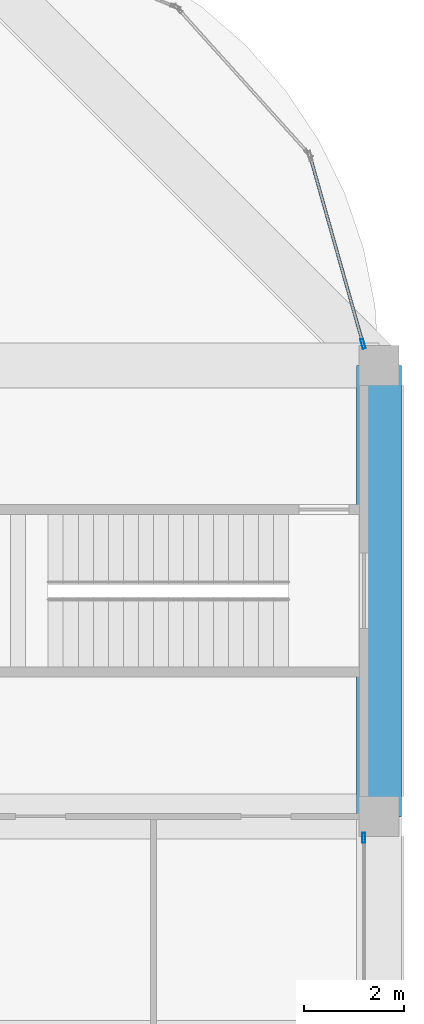
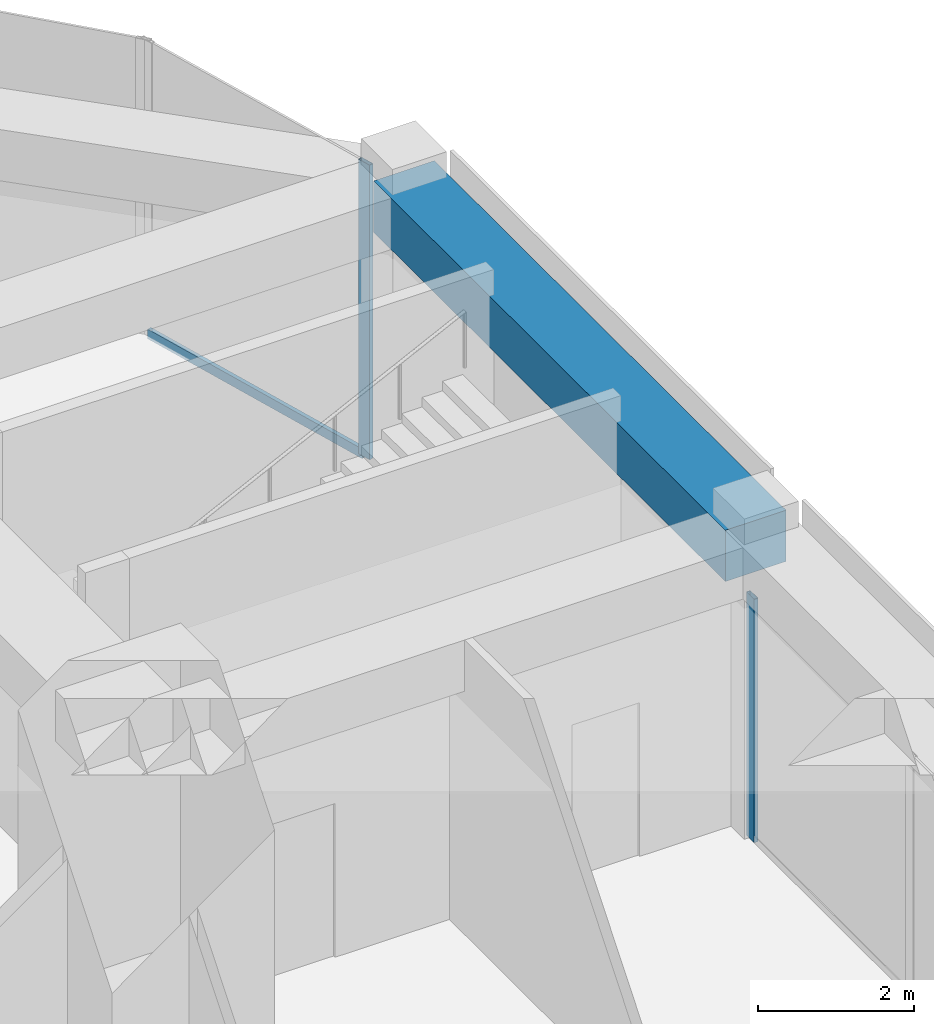
# One storey, part 37 of 46: 3 members, 1 beam, 2 elements without a shape of their own.
"""IFC4 building model written with IfcOpenShell, lengths in metres."""

from ifc_helpers import new_model, si_unit, direction, frame, origin, origin_2d, place, context, subcontext, project, spatial, rectangle, hollow_rectangle, extrude, material, material_profile, profile_set, type_object, element, aggregate, save


model = new_model("IFC4")

# Units and contexts
model_context = context("Model", 3, precision=1e-05, world=origin(), true_north=direction((0.0, 1.0)))
body_context = subcontext(model_context, "Body", "Model", "MODEL_VIEW")
ifc_project = project(units=[si_unit("LENGTHUNIT", "METRE"), si_unit("AREAUNIT", "SQUARE_METRE"), si_unit("VOLUMEUNIT", "CUBIC_METRE"), si_unit("PLANEANGLEUNIT", "RADIAN"), si_unit("MASSUNIT", "GRAM", prefix="KILO")], contexts=[model_context])

# Site, building, storey
site_placement = place(None, origin())
site = spatial("IfcSite", under=ifc_project, at=site_placement, CompositionType="ELEMENT")
building_placement = place(site_placement, origin())
building = spatial("IfcBuilding", under=site, at=building_placement, Name="Zorevar Civic Tower", CompositionType="ELEMENT")
storey_placement = place(building_placement, frame((0.0, 0.0, 10.800048828125)))
storey = spatial("IfcBuildingStorey", under=building, at=storey_placement, Name="L02", CompositionType="ELEMENT", Elevation=10.800048828125)

# Curtain wall, member
ifc_material_1 = material(Name="Dark grey solar-control glass in black aluminium frame", Category="aluminium")
curtain_wall_type = type_object("IfcCurtainWallType", Name="Curtain wall CW1 podium", PredefinedType="NOTDEFINED", material=ifc_material_1)
curtain_wall_1_placement = place(storey_placement, origin())
curtain_wall_1 = element("IfcCurtainWall", 1, at=curtain_wall_1_placement, inside=storey, type_object=curtain_wall_type, Name="CW1 L02", PredefinedType="NOTDEFINED")
ifc_material_2 = material(Name="Aluminium, black anodised", Category="aluminium")
ifc_material_profile_1 = material_profile(ifc_material_2, hollow_rectangle(XDim=0.06005859375, YDim=0.199951171875, WallThickness=0.00390625, at=origin_2d()), Name="AL 200x60x4")
ifc_profile_set_1 = profile_set([ifc_material_profile_1], Name="Aluminium, black anodised")
member_type_1 = type_object("IfcMemberType", Name="CW1 mullion AL 200x60x4", PredefinedType="MULLION", material=ifc_profile_set_1)
member_1_placement = place(storey_placement, frame((71.699951171875, 35.570068359375, 0.0), z_axis=(0.0, 0.0, 1.0), x_axis=(-1.0, 0.0, 0.0)))
member_1 = element("IfcMember", 2, at=member_1_placement, type_object=member_type_1, Name="CW1 mullion 3", PredefinedType="MULLION", context=body_context, shape_type="SweptSolid", body=[
    extrude(hollow_rectangle(XDim=0.06005859375, YDim=0.199951171875, WallThickness=0.00390625, at=origin_2d()), origin(), (0.0, 0.0, 1.0), 3.800048828125),
])
aggregate(curtain_wall_1, [member_1])

# Curtain wall, members
curtain_wall_2_placement = place(storey_placement, origin())
curtain_wall_2 = element("IfcCurtainWall", 3, at=curtain_wall_2_placement, inside=storey, type_object=curtain_wall_type, Name="CW1 L02", PredefinedType="NOTDEFINED")
member_2_placement = place(storey_placement, frame((71.6826171875, 45.428955078125, 0.0), z_axis=(0.0, 0.0, 1.0), x_axis=(-0.962390725943, -0.271669082929, 0.0)))
member_2 = element("IfcMember", 4, at=member_2_placement, type_object=member_type_1, Name="CW1 mullion 1", PredefinedType="MULLION", context=body_context, shape_type="SweptSolid", body=[
    extrude(hollow_rectangle(XDim=0.06005859375, YDim=0.199951171875, WallThickness=0.00390625, at=origin_2d()), origin(), (0.0, 0.0, 1.0), 4.599853515625),
])
ifc_material_3 = material(Name="Aluminium, black anodised", Category="aluminium")
ifc_material_profile_2 = material_profile(ifc_material_3, hollow_rectangle(XDim=0.06005859375, YDim=0.14990234375, WallThickness=0.00390625, at=origin_2d()), Name="AL 150x60x4")
ifc_profile_set_2 = profile_set([ifc_material_profile_2], Name="Aluminium, black anodised")
member_type_2 = type_object("IfcMemberType", Name="CW1 transom AL 150x60x4", PredefinedType="USERDEFINED", material=ifc_profile_set_2)
member_3_placement = place(storey_placement, frame((71.67431640625, 45.457763671875, 0.030029296875), z_axis=(-0.271656874729, 0.962394172059, 0.0), x_axis=(-0.962394172059, -0.271656874729, 0.0)))
member_3 = element("IfcMember", 5, at=member_3_placement, type_object=member_type_2, Name="CW1 sill transom", ObjectType="TRANSOM", PredefinedType="USERDEFINED", context=body_context, shape_type="SweptSolid", body=[
    extrude(hollow_rectangle(XDim=0.06005859375, YDim=0.14990234375, WallThickness=0.00390625, at=origin_2d()), origin(), (0.0, 0.0, 1.0), 3.83203125),
])
aggregate(curtain_wall_2, [member_2, member_3])

# Beam
ifc_material_4 = material(Name="Concrete C50/60", Category="concrete")
ifc_material_profile_3 = material_profile(ifc_material_4, rectangle(XDim=0.89990234375, YDim=0.800048828125, at=origin_2d()), Name="RC 900x800")
ifc_profile_set_3 = profile_set([ifc_material_profile_3], Name="Concrete C50/60")
beam_type = type_object("IfcBeamType", Name="Edge beam RC 900x800", PredefinedType="SPANDREL", material=ifc_profile_set_3)
beam_placement = place(storey_placement, frame((72.0, 36.0, 4.199951171875), z_axis=(0.0, 1.0, 0.0), x_axis=(-1.0, 0.0, 0.0)))
element("IfcBeam", 6, at=beam_placement, inside=storey, type_object=beam_type, Name="Edge beam L03", PredefinedType="SPANDREL", context=body_context, shape_type="SweptSolid", body=[
    extrude(rectangle(XDim=0.89990234375, YDim=0.800048828125, at=origin_2d()), origin(), (0.0, 0.0, 1.0), 9.0),
])

save(model, "model.ifc")
